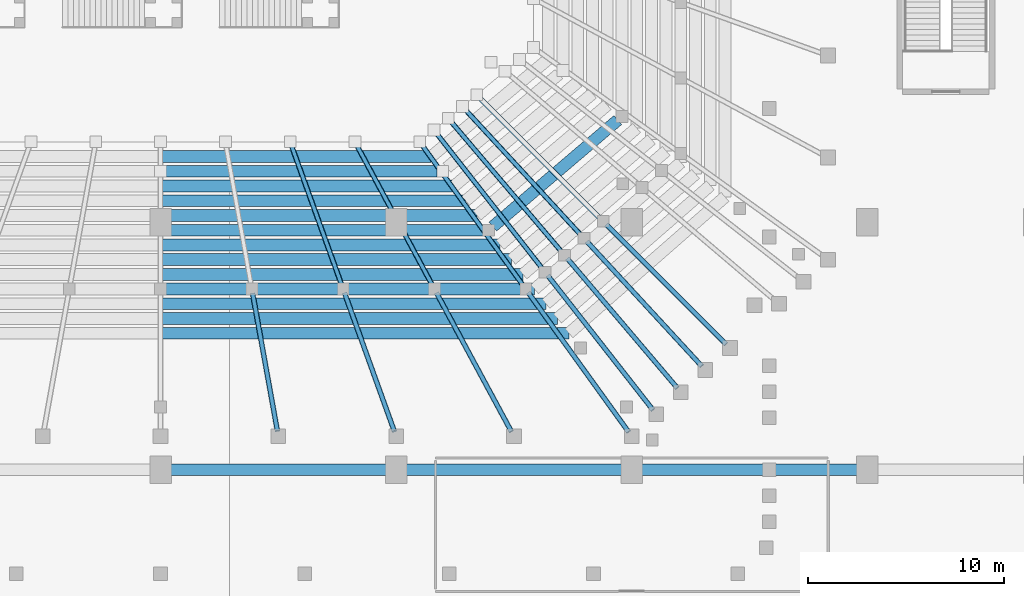
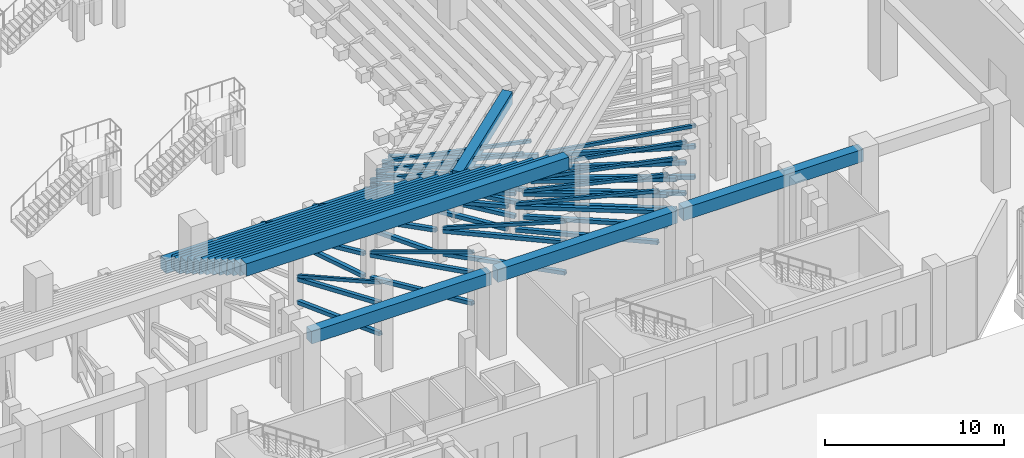
# One storey, part 36 of 143: 43 members, 17 beams.
"""IFC4 building model written with IfcOpenShell, lengths in metres."""

from ifc_helpers import new_model, si_unit, derived_unit, direction, frame, origin, origin_2d, place, context, subcontext, project, spatial, rectangle, hollow_rectangle, extrude, material, material_profile, profile_set, type_object, element, save


model = new_model("IFC4")

# Units and contexts
model_context = context("Model", 3, precision=1e-05, world=origin(), true_north=direction((0.0, 1.0)))
body_context = subcontext(model_context, "Body", "Model", "MODEL_VIEW")
ifc_project = project(units=[si_unit("LENGTHUNIT", "METRE"), si_unit("AREAUNIT", "SQUARE_METRE"), si_unit("VOLUMEUNIT", "CUBIC_METRE"), si_unit("PLANEANGLEUNIT", "RADIAN"), si_unit("MASSUNIT", "GRAM", prefix="KILO"), derived_unit("THERMALTRANSMITTANCEUNIT", [(si_unit("MASSUNIT", "GRAM", prefix="KILO"), 1), (si_unit("TIMEUNIT", "SECOND"), -3), (si_unit("THERMODYNAMICTEMPERATUREUNIT", "KELVIN"), -1)])], contexts=[model_context])

# Site, building, storey
site_placement = place(None, origin())
site = spatial("IfcSite", under=ifc_project, at=site_placement, CompositionType="ELEMENT")
building_placement = place(site_placement, origin())
building = spatial("IfcBuilding", under=site, at=building_placement, Name="Valcora Ridge Arena", CompositionType="ELEMENT")
storey_placement = place(building_placement, origin())
storey = spatial("IfcBuildingStorey", under=building, at=storey_placement, Name="L00", CompositionType="ELEMENT", Elevation=0.0)

# Beams
ifc_material_1 = material(Name="Concrete C40/50", Category="concrete")
ifc_material_profile_1 = material_profile(ifc_material_1, rectangle(XDim=0.60009765625, YDim=0.85009765625, at=origin_2d()), Name="RC 600x850")
ifc_profile_set_1 = profile_set([ifc_material_profile_1], Name="Concrete C40/50")
beam_type_1 = type_object("IfcBeamType", Name="TY-BEAM-B-RC600-X", PredefinedType="BEAM", material=ifc_profile_set_1)
beam_1_placement = place(storey_placement, frame((58.0, 48.550048828125, 0.4150390625), z_axis=(1.0, 0.0, 0.0), x_axis=(0.0, 1.0, 0.0)))
element("IfcBeam", 1, at=beam_1_placement, inside=storey, type_object=beam_type_1, Name="B-RC600-X BEM-R2-B-RC600-X-0002", PredefinedType="BEAM", context=body_context, shape_type="SweptSolid", body=[
    extrude(rectangle(XDim=0.60009765625, YDim=0.85009765625, at=origin_2d()), origin(), (0.0, 0.0, 1.0), 13.784912109375),
])
beam_2_placement = place(storey_placement, frame((58.280029296875, 47.800048828125, 0.85498046875), z_axis=(1.0, 0.0, 0.0), x_axis=(0.0, 1.0, 0.0)))
element("IfcBeam", 2, at=beam_2_placement, inside=storey, type_object=beam_type_1, Name="B-RC600-X BEM-R2-B-RC600-X-0014", PredefinedType="BEAM", context=body_context, shape_type="SweptSolid", body=[
    extrude(rectangle(XDim=0.60009765625, YDim=0.85009765625, at=origin_2d()), origin(), (0.0, 0.0, 1.0), 13.81005859375),
])
beam_3_placement = place(storey_placement, frame((58.0, 47.050048828125, 1.294921875), z_axis=(1.0, 0.0, 0.0), x_axis=(0.0, 1.0, 0.0)))
element("IfcBeam", 3, at=beam_3_placement, inside=storey, type_object=beam_type_1, Name="B-RC600-X BEM-R2-B-RC600-X-0026", PredefinedType="BEAM", context=body_context, shape_type="SweptSolid", body=[
    extrude(rectangle(XDim=0.60009765625, YDim=0.85009765625, at=origin_2d()), origin(), (0.0, 0.0, 1.0), 14.955078125),
])
beam_4_placement = place(storey_placement, frame((58.0, 46.300048828125, 1.735107421875), z_axis=(1.0, 0.0, 0.0), x_axis=(0.0, 1.0, 0.0)))
element("IfcBeam", 4, at=beam_4_placement, inside=storey, type_object=beam_type_1, Name="B-RC600-X BEM-R2-B-RC600-X-0038", PredefinedType="BEAM", context=body_context, shape_type="SweptSolid", body=[
    extrude(rectangle(XDim=0.60009765625, YDim=0.85009765625, at=origin_2d()), origin(), (0.0, 0.0, 1.0), 15.5400390625),
])
beam_5_placement = place(storey_placement, frame((58.0, 45.550048828125, 2.175048828125), z_axis=(1.0, 0.0, 0.0), x_axis=(0.0, 1.0, 0.0)))
element("IfcBeam", 5, at=beam_5_placement, inside=storey, type_object=beam_type_1, Name="B-RC600-X BEM-R2-B-RC600-X-0050", PredefinedType="BEAM", context=body_context, shape_type="SweptSolid", body=[
    extrude(rectangle(XDim=0.60009765625, YDim=0.85009765625, at=origin_2d()), origin(), (0.0, 0.0, 1.0), 16.125),
])
beam_6_placement = place(storey_placement, frame((58.0, 44.800048828125, 2.614990234375), z_axis=(1.0, 0.0, 0.0), x_axis=(0.0, 1.0, 0.0)))
element("IfcBeam", 6, at=beam_6_placement, inside=storey, type_object=beam_type_1, Name="B-RC600-X BEM-R2-B-RC600-X-0062", PredefinedType="BEAM", context=body_context, shape_type="SweptSolid", body=[
    extrude(rectangle(XDim=0.60009765625, YDim=0.85009765625, at=origin_2d()), origin(), (0.0, 0.0, 1.0), 16.429931640625),
])
beam_7_placement = place(storey_placement, frame((74.923095703125, 44.981689453125, 2.614990234375), z_axis=(0.76091703384, 0.648849187109, 0.0), x_axis=(-0.648849187109, 0.76091703384, 0.0)))
element("IfcBeam", 7, at=beam_7_placement, inside=storey, type_object=beam_type_1, Name="B-RC600-X BEM-R2-B-RC600-X-0063", PredefinedType="BEAM", context=body_context, shape_type="SweptSolid", body=[
    extrude(rectangle(XDim=0.60009765625, YDim=0.85009765625, at=origin_2d()), origin(), (0.0, 0.0, 1.0), 8.36328125),
])
beam_8_placement = place(storey_placement, frame((58.0, 44.050048828125, 3.054931640625), z_axis=(1.0, 0.0, 0.0), x_axis=(0.0, 1.0, 0.0)))
element("IfcBeam", 8, at=beam_8_placement, inside=storey, type_object=beam_type_1, Name="B-RC600-X BEM-R2-B-RC600-X-0074", PredefinedType="BEAM", context=body_context, shape_type="SweptSolid", body=[
    extrude(rectangle(XDim=0.60009765625, YDim=0.85009765625, at=origin_2d()), origin(), (0.0, 0.0, 1.0), 17.294921875),
])
beam_9_placement = place(storey_placement, frame((58.0, 43.300048828125, 3.4951171875), z_axis=(1.0, 0.0, 0.0), x_axis=(0.0, 1.0, 0.0)))
element("IfcBeam", 9, at=beam_9_placement, inside=storey, type_object=beam_type_1, Name="B-RC600-X BEM-R2-B-RC600-X-0086", PredefinedType="BEAM", context=body_context, shape_type="SweptSolid", body=[
    extrude(rectangle(XDim=0.60009765625, YDim=0.85009765625, at=origin_2d()), origin(), (0.0, 0.0, 1.0), 17.8798828125),
])
beam_10_placement = place(storey_placement, frame((58.0, 42.550048828125, 3.93505859375), z_axis=(1.0, 0.0, 0.0), x_axis=(0.0, 1.0, 0.0)))
element("IfcBeam", 10, at=beam_10_placement, inside=storey, type_object=beam_type_1, Name="B-RC600-X BEM-R2-B-RC600-X-0098", PredefinedType="BEAM", context=body_context, shape_type="SweptSolid", body=[
    extrude(rectangle(XDim=0.60009765625, YDim=0.85009765625, at=origin_2d()), origin(), (0.0, 0.0, 1.0), 18.465087890625),
])
beam_11_placement = place(storey_placement, frame((58.0, 41.800048828125, 4.375), z_axis=(1.0, 0.0, 0.0), x_axis=(0.0, 1.0, 0.0)))
element("IfcBeam", 11, at=beam_11_placement, inside=storey, type_object=beam_type_1, Name="B-RC600-X BEM-R2-B-RC600-X-0110", PredefinedType="BEAM", context=body_context, shape_type="SweptSolid", body=[
    extrude(rectangle(XDim=0.60009765625, YDim=0.85009765625, at=origin_2d()), origin(), (0.0, 0.0, 1.0), 19.050048828125),
])
beam_12_placement = place(storey_placement, frame((58.0, 41.050048828125, 4.81494140625), z_axis=(1.0, 0.0, 0.0), x_axis=(0.0, 1.0, 0.0)))
element("IfcBeam", 12, at=beam_12_placement, inside=storey, type_object=beam_type_1, Name="B-RC600-X BEM-R2-B-RC600-X-0122", PredefinedType="BEAM", context=body_context, shape_type="SweptSolid", body=[
    extrude(rectangle(XDim=0.60009765625, YDim=0.85009765625, at=origin_2d()), origin(), (0.0, 0.0, 1.0), 19.635009765625),
])
beam_13_placement = place(storey_placement, frame((58.0, 40.300048828125, 5.2548828125), z_axis=(1.0, 0.0, 0.0), x_axis=(0.0, 1.0, 0.0)))
element("IfcBeam", 13, at=beam_13_placement, inside=storey, type_object=beam_type_1, Name="B-RC600-X BEM-R2-B-RC600-X-0134", PredefinedType="BEAM", context=body_context, shape_type="SweptSolid", body=[
    extrude(rectangle(XDim=0.60009765625, YDim=0.85009765625, at=origin_2d()), origin(), (0.0, 0.0, 1.0), 20.219970703125),
])
beam_14_placement = place(storey_placement, frame((58.0, 39.550048828125, 5.695068359375), z_axis=(1.0, 0.0, 0.0), x_axis=(0.0, 1.0, 0.0)))
element("IfcBeam", 14, at=beam_14_placement, inside=storey, type_object=beam_type_1, Name="B-RC600-X BEM-R2-B-RC600-X-0146", PredefinedType="BEAM", context=body_context, shape_type="SweptSolid", body=[
    extrude(rectangle(XDim=0.60009765625, YDim=0.85009765625, at=origin_2d()), origin(), (0.0, 0.0, 1.0), 20.804931640625),
])
ifc_material_profile_2 = material_profile(ifc_material_1, rectangle(XDim=0.60009765625, YDim=0.85009765625, at=origin_2d()), Name="RC 600x850")
ifc_profile_set_2 = profile_set([ifc_material_profile_2], Name="Concrete C40/50")
beam_type_2 = type_object("IfcBeamType", Name="TY-BEAM-EB-RC600", PredefinedType="BEAM", material=ifc_profile_set_2)
for number, where, z_axis, x_axis, name in (
    (15, (58.199951171875, 32.60009765625, 5.215087890625), (1.0, 0.0, 0.0), (0.0, 1.0, 0.0), "EB-RC600 BEM-EB-RC600-0005"),
    (16, (70.199951171875, 32.60009765625, 5.215087890625), (1.0, 0.0, 0.0), (0.0, 1.0, 0.0), "EB-RC600 BEM-EB-RC600-0006"),
    (17, (82.199951171875, 32.60009765625, 5.215087890625), (1.0, 0.0, 0.0), (0.0, 1.0, 0.0), "EB-RC600 BEM-EB-RC600-0007"),
):
    element("IfcBeam", number, at=place(storey_placement, frame(where, z_axis=z_axis, x_axis=x_axis)), inside=storey, type_object=beam_type_2, Name=name, PredefinedType="BEAM", context=body_context, shape_type="SweptSolid", body=[
        extrude(rectangle(XDim=0.60009765625, YDim=0.85009765625, at=origin_2d()), origin(), (0.0, 0.0, 1.0), 11.60009765625),
    ])

# Members
ifc_material_2 = material(Name="Steel ASTM A500 Grade C", Category="steel")
ifc_material_profile_3 = material_profile(ifc_material_2, hollow_rectangle(XDim=0.25, YDim=0.25, WallThickness=0.012451171875, at=origin_2d()), Name="HSS250X250X12")
ifc_profile_set_3 = profile_set([ifc_material_profile_3], Name="Steel ASTM A500 Grade C")
member_type_1 = type_object("IfcMemberType", Name="TY-MEMBER-RKRC-251", PredefinedType="CHORD", material=ifc_profile_set_3)
member_1_placement = place(storey_placement, frame((64.679443359375, 49.079345703125, 0.301513671875), z_axis=(0.330850255217, -0.919000233363, 0.214421733278), x_axis=(0.940884093102, 0.338728686926, 0.0)))
element("IfcMember", 18, at=member_1_placement, inside=storey, type_object=member_type_1, Name="RKRC-251 MBR-RK-RKRC-251-0007", PredefinedType="CHORD", context=body_context, shape_type="SweptSolid", body=[
    extrude(hollow_rectangle(XDim=0.25, YDim=0.25, WallThickness=0.012451171875, at=origin_2d()), origin(), (0.0, 0.0, 1.0), 7.680908203125),
])
member_2_placement = place(storey_placement, frame((68.01171875, 49.093017578125, 0.29833984375), z_axis=(0.465453402644, -0.861923249442, 0.201100576924), x_axis=(0.879899060394, 0.47516065022, 0.0)))
element("IfcMember", 19, at=member_2_placement, inside=storey, type_object=member_type_1, Name="RKRC-251 MBR-RK-RKRC-251-0008", PredefinedType="CHORD", context=body_context, shape_type="SweptSolid", body=[
    extrude(hollow_rectangle(XDim=0.25, YDim=0.25, WallThickness=0.012451171875, at=origin_2d()), origin(), (0.0, 0.0, 1.0), 8.221435546875),
])
member_3_placement = place(storey_placement, frame((71.337890625, 49.108642578125, 0.294677734375), z_axis=(0.574095048612, -0.797370949409, 0.18604957457), x_axis=(0.811540149599, 0.584296658889, 0.0)))
element("IfcMember", 20, at=member_3_placement, inside=storey, type_object=member_type_1, Name="RKRC-251 MBR-RK-RKRC-251-0009", PredefinedType="CHORD", context=body_context, shape_type="SweptSolid", body=[
    extrude(hollow_rectangle(XDim=0.25, YDim=0.25, WallThickness=0.012451171875, at=origin_2d()), origin(), (0.0, 0.0, 1.0), 8.92578125),
])
member_4_placement = place(storey_placement, frame((72.0703125, 49.71435546875, 0.294921875), z_axis=(0.605307455921, -0.77369753626, 0.18706952235), x_axis=(0.787601316701, 0.616185171788, 0.0)))
element("IfcMember", 21, at=member_4_placement, inside=storey, type_object=member_type_1, Name="RKRC-251 MBR-RK-RKRC-251-0010", PredefinedType="CHORD", context=body_context, shape_type="SweptSolid", body=[
    extrude(hollow_rectangle(XDim=0.25, YDim=0.25, WallThickness=0.012451171875, at=origin_2d()), origin(), (0.0, 0.0, 1.0), 8.87451171875),
])
member_5_placement = place(storey_placement, frame((72.802490234375, 50.3203125, 0.295166015625), z_axis=(0.635896408049, -0.7485781687, 0.187793726136), x_axis=(0.762137750657, 0.647414897128, 0.0)))
element("IfcMember", 22, at=member_5_placement, inside=storey, type_object=member_type_1, Name="RKRC-251 MBR-RK-RKRC-251-0011", PredefinedType="CHORD", context=body_context, shape_type="SweptSolid", body=[
    extrude(hollow_rectangle(XDim=0.25, YDim=0.25, WallThickness=0.012451171875, at=origin_2d()), origin(), (0.0, 0.0, 1.0), 8.837646484375),
])
member_6_placement = place(storey_placement, frame((73.534912109375, 50.9267578125, 0.295166015625), z_axis=(0.665623478086, -0.722149130028, 0.18827113273), x_axis=(0.735298404428, 0.677743503433, 0.0)))
element("IfcMember", 23, at=member_6_placement, inside=storey, type_object=member_type_1, Name="RKRC-251 MBR-RK-RKRC-251-0012", PredefinedType="CHORD", context=body_context, shape_type="SweptSolid", body=[
    extrude(hollow_rectangle(XDim=0.25, YDim=0.25, WallThickness=0.012451171875, at=origin_2d()), origin(), (0.0, 0.0, 1.0), 8.8154296875),
])
member_7_placement = place(storey_placement, frame((74.2666015625, 51.533203125, 0.295166015625), z_axis=(0.694454111564, -0.694426393271, 0.188428955473), x_axis=(0.70709266911, 0.707120892982, 0.0)))
element("IfcMember", 24, at=member_7_placement, inside=storey, type_object=member_type_1, Name="RKRC-251 MBR-RK-RKRC-251-0013", PredefinedType="CHORD", context=body_context, shape_type="SweptSolid", body=[
    extrude(hollow_rectangle(XDim=0.25, YDim=0.25, WallThickness=0.012451171875, at=origin_2d()), origin(), (0.0, 0.0, 1.0), 8.807861328125),
])
ifc_material_profile_4 = material_profile(ifc_material_2, hollow_rectangle(XDim=0.25, YDim=0.25, WallThickness=0.012451171875, at=origin_2d()), Name="HSS250X250X12")
ifc_profile_set_4 = profile_set([ifc_material_profile_4], Name="Steel ASTM A500 Grade C")
member_type_2 = type_object("IfcMemberType", Name="TY-MEMBER-RKRC-252", PredefinedType="CHORD", material=ifc_profile_set_4)
member_8_placement = place(storey_placement, frame((62.690673828125, 41.573974609375, 2.0693359375), z_axis=(0.169581220746, -0.94221268818, 0.288924661121), x_axis=(0.984186431325, 0.177135734384, 0.0)))
element("IfcMember", 25, at=member_8_placement, inside=storey, type_object=member_type_2, Name="RKRC-252 MBR-RK-RKRC-252-0006", PredefinedType="CHORD", context=body_context, shape_type="SweptSolid", body=[
    extrude(hollow_rectangle(XDim=0.25, YDim=0.25, WallThickness=0.012451171875, at=origin_2d()), origin(), (0.0, 0.0, 1.0), 7.440185546875),
])
member_9_placement = place(storey_placement, frame((67.378173828125, 41.5830078125, 2.06640625), z_axis=(0.325435833964, -0.904005869091, 0.277245210277), x_axis=(0.940889494564, 0.338713682953, 0.0)))
element("IfcMember", 26, at=member_9_placement, inside=storey, type_object=member_type_2, Name="RKRC-252 MBR-RK-RKRC-252-0007", PredefinedType="CHORD", context=body_context, shape_type="SweptSolid", body=[
    extrude(hollow_rectangle(XDim=0.25, YDim=0.25, WallThickness=0.012451171875, at=origin_2d()), origin(), (0.0, 0.0, 1.0), 7.776611328125),
])
member_10_placement = place(storey_placement, frame((72.06005859375, 41.59619140625, 2.0625), z_axis=(0.458742849833, -0.8495205311, 0.260518454178), x_axis=(0.87990463419, 0.475150328559, 0.0)))
element("IfcMember", 27, at=member_10_placement, inside=storey, type_object=member_type_2, Name="RKRC-252 MBR-RK-RKRC-252-0008", PredefinedType="CHORD", context=body_context, shape_type="SweptSolid", body=[
    extrude(hollow_rectangle(XDim=0.25, YDim=0.25, WallThickness=0.012451171875, at=origin_2d()), origin(), (0.0, 0.0, 1.0), 8.30859375),
])
member_11_placement = place(storey_placement, frame((76.736083984375, 41.611083984375, 2.05810546875), z_axis=(0.567011880625, -0.787514994452, 0.241490498247), x_axis=(0.811533811457, 0.584305461948, 0.0)))
element("IfcMember", 28, at=member_11_placement, inside=storey, type_object=member_type_2, Name="RKRC-252 MBR-RK-RKRC-252-0009", PredefinedType="CHORD", context=body_context, shape_type="SweptSolid", body=[
    extrude(hollow_rectangle(XDim=0.25, YDim=0.25, WallThickness=0.012451171875, at=origin_2d()), origin(), (0.0, 0.0, 1.0), 9.003662109375),
])
member_12_placement = place(storey_placement, frame((77.73095703125, 42.47900390625, 2.058349609375), z_axis=(0.597760906174, -0.76402679326, 0.242785827904), x_axis=(0.787591600786, 0.616197590364, 0.0)))
element("IfcMember", 29, at=member_12_placement, inside=storey, type_object=member_type_2, Name="RKRC-252 MBR-RK-RKRC-252-0010", PredefinedType="CHORD", context=body_context, shape_type="SweptSolid", body=[
    extrude(hollow_rectangle(XDim=0.25, YDim=0.25, WallThickness=0.012451171875, at=origin_2d()), origin(), (0.0, 0.0, 1.0), 8.95263671875),
])
member_13_placement = place(storey_placement, frame((78.7255859375, 43.34765625, 2.05859375), z_axis=(0.627900701205, -0.739149634966, 0.243718129314), x_axis=(0.762130846094, 0.647423025102, 0.0)))
element("IfcMember", 30, at=member_13_placement, inside=storey, type_object=member_type_2, Name="RKRC-252 MBR-RK-RKRC-252-0011", PredefinedType="CHORD", context=body_context, shape_type="SweptSolid", body=[
    extrude(hollow_rectangle(XDim=0.25, YDim=0.25, WallThickness=0.012451171875, at=origin_2d()), origin(), (0.0, 0.0, 1.0), 8.91650390625),
])
member_14_placement = place(storey_placement, frame((79.72021484375, 44.21630859375, 2.05859375), z_axis=(0.657223207673, -0.712998247682, 0.244317731853), x_axis=(0.735280759397, 0.677762646404, 0.0)))
element("IfcMember", 31, at=member_14_placement, inside=storey, type_object=member_type_2, Name="RKRC-252 MBR-RK-RKRC-252-0012", PredefinedType="CHORD", context=body_context, shape_type="SweptSolid", body=[
    extrude(hollow_rectangle(XDim=0.25, YDim=0.25, WallThickness=0.012451171875, at=origin_2d()), origin(), (0.0, 0.0, 1.0), 8.89453125),
])
member_15_placement = place(storey_placement, frame((80.714599609375, 45.08544921875, 2.05859375), z_axis=(0.685647133056, -0.685647133056, 0.244491345174), x_axis=(0.707106781187, 0.707106781187, 0.0)))
element("IfcMember", 32, at=member_15_placement, inside=storey, type_object=member_type_2, Name="RKRC-252 MBR-RK-RKRC-252-0013", PredefinedType="CHORD", context=body_context, shape_type="SweptSolid", body=[
    extrude(hollow_rectangle(XDim=0.25, YDim=0.25, WallThickness=0.012451171875, at=origin_2d()), origin(), (0.0, 0.0, 1.0), 8.88720703125),
])
ifc_material_profile_5 = material_profile(ifc_material_2, hollow_rectangle(XDim=0.25, YDim=0.25, WallThickness=0.012451171875, at=origin_2d()), Name="HSS250X250X12")
ifc_profile_set_5 = profile_set([ifc_material_profile_5], Name="Steel ASTM A500 Grade C")
member_type_3 = type_object("IfcMemberType", Name="TY-MEMBER-RKRC-254", PredefinedType="CHORD", material=ifc_profile_set_5)
member_16_placement = place(storey_placement, frame((64.681396484375, 49.07421875, 0.39990234375), z_axis=(0.338713697983, -0.940889489153, 0.0), x_axis=(0.940889489153, 0.338713697983, 0.0)))
element("IfcMember", 33, at=member_16_placement, inside=storey, type_object=member_type_3, Name="RKRC-254 MBR-RK-RKRC-254-0007", PredefinedType="CHORD", context=body_context, shape_type="SweptSolid", body=[
    extrude(hollow_rectangle(XDim=0.25, YDim=0.25, WallThickness=0.012451171875, at=origin_2d()), origin(), (0.0, 0.0, 1.0), 7.4912109375),
])
member_17_placement = place(storey_placement, frame((68.013916015625, 49.0888671875, 0.39990234375), z_axis=(0.475158314478, -0.879900321731, 0.0), x_axis=(0.879900321731, 0.475158314478, 0.0)))
element("IfcMember", 34, at=member_17_placement, inside=storey, type_object=member_type_3, Name="RKRC-254 MBR-RK-RKRC-254-0008", PredefinedType="CHORD", context=body_context, shape_type="SweptSolid", body=[
    extrude(hollow_rectangle(XDim=0.25, YDim=0.25, WallThickness=0.012451171875, at=origin_2d()), origin(), (0.0, 0.0, 1.0), 8.043701171875),
])
member_18_placement = place(storey_placement, frame((71.340087890625, 49.105224609375, 0.39990234375), z_axis=(0.584317938635, -0.811524828079, 0.0), x_axis=(0.811524828079, 0.584317938635, 0.0)))
element("IfcMember", 35, at=member_18_placement, inside=storey, type_object=member_type_3, Name="RKRC-254 MBR-RK-RKRC-254-0009", PredefinedType="CHORD", context=body_context, shape_type="SweptSolid", body=[
    extrude(hollow_rectangle(XDim=0.25, YDim=0.25, WallThickness=0.012451171875, at=origin_2d()), origin(), (0.0, 0.0, 1.0), 8.76171875),
])
member_19_placement = place(storey_placement, frame((72.072998046875, 49.7109375, 0.39990234375), z_axis=(0.616200925647, -0.78758899131, 0.0), x_axis=(0.78758899131, 0.616200925647, 0.0)))
element("IfcMember", 36, at=member_19_placement, inside=storey, type_object=member_type_3, Name="RKRC-254 MBR-RK-RKRC-254-0010", PredefinedType="CHORD", context=body_context, shape_type="SweptSolid", body=[
    extrude(hollow_rectangle(XDim=0.25, YDim=0.25, WallThickness=0.012451171875, at=origin_2d()), origin(), (0.0, 0.0, 1.0), 8.709228515625),
])
member_20_placement = place(storey_placement, frame((72.805419921875, 50.317138671875, 0.39990234375), z_axis=(0.647413846477, -0.762138643155, 0.0), x_axis=(0.762138643155, 0.647413846477, 0.0)))
element("IfcMember", 37, at=member_20_placement, inside=storey, type_object=member_type_3, Name="RKRC-254 MBR-RK-RKRC-254-0011", PredefinedType="CHORD", context=body_context, shape_type="SweptSolid", body=[
    extrude(hollow_rectangle(XDim=0.25, YDim=0.25, WallThickness=0.012451171875, at=origin_2d()), origin(), (0.0, 0.0, 1.0), 8.671875),
])
member_21_placement = place(storey_placement, frame((73.53759765625, 50.923583984375, 0.39990234375), z_axis=(0.677773488794, -0.735270765017, 0.0), x_axis=(0.735270765017, 0.677773488794, 0.0)))
element("IfcMember", 38, at=member_21_placement, inside=storey, type_object=member_type_3, Name="RKRC-254 MBR-RK-RKRC-254-0012", PredefinedType="CHORD", context=body_context, shape_type="SweptSolid", body=[
    extrude(hollow_rectangle(XDim=0.25, YDim=0.25, WallThickness=0.012451171875, at=origin_2d()), origin(), (0.0, 0.0, 1.0), 8.6494140625),
])
ifc_material_profile_6 = material_profile(ifc_material_2, hollow_rectangle(XDim=0.25, YDim=0.25, WallThickness=0.012451171875, at=origin_2d()), Name="HSS250X250X12")
ifc_profile_set_6 = profile_set([ifc_material_profile_6], Name="Steel ASTM A500 Grade C")
member_type_4 = type_object("IfcMemberType", Name="TY-MEMBER-RKRC-255", PredefinedType="CHORD", material=ifc_profile_set_6)
member_22_placement = place(storey_placement, frame((62.69140625, 41.56982421875, 0.503662109375), z_axis=(0.172663767621, -0.959217137557, 0.223807297395), x_axis=(0.984182486251, 0.177157652266, 0.0)))
element("IfcMember", 39, at=member_22_placement, inside=storey, type_object=member_type_4, Name="RKRC-255 MBR-RK-RKRC-255-0006", PredefinedType="CHORD", context=body_context, shape_type="SweptSolid", body=[
    extrude(hollow_rectangle(XDim=0.25, YDim=0.25, WallThickness=0.012451171875, at=origin_2d()), origin(), (0.0, 0.0, 1.0), 7.298828125),
])
member_23_placement = place(storey_placement, frame((67.37939453125, 41.579345703125, 0.50146484375), z_axis=(0.330860021706, -0.91899526261, 0.214427967713), x_axis=(0.940880322384, 0.338739160639, 0.0)))
element("IfcMember", 40, at=member_23_placement, inside=storey, type_object=member_type_4, Name="RKRC-255 MBR-RK-RKRC-255-0007", PredefinedType="CHORD", context=body_context, shape_type="SweptSolid", body=[
    extrude(hollow_rectangle(XDim=0.25, YDim=0.25, WallThickness=0.012451171875, at=origin_2d()), origin(), (0.0, 0.0, 1.0), 7.640869140625),
])
member_24_placement = place(storey_placement, frame((72.061767578125, 41.593017578125, 0.498291015625), z_axis=(0.465430848581, -0.861928872886, 0.201128673427), x_axis=(0.87990998272, 0.475140423781, 0.0)))
element("IfcMember", 41, at=member_24_placement, inside=storey, type_object=member_type_4, Name="RKRC-255 MBR-RK-RKRC-255-0008", PredefinedType="CHORD", context=body_context, shape_type="SweptSolid", body=[
    extrude(hollow_rectangle(XDim=0.25, YDim=0.25, WallThickness=0.012451171875, at=origin_2d()), origin(), (0.0, 0.0, 1.0), 8.181396484375),
])
member_25_placement = place(storey_placement, frame((76.73779296875, 41.608642578125, 0.49462890625), z_axis=(0.574105087517, -0.797362071684, 0.18605664494), x_axis=(0.811532219938, 0.58430767238, 0.0)))
element("IfcMember", 42, at=member_25_placement, inside=storey, type_object=member_type_4, Name="RKRC-255 MBR-RK-RKRC-255-0009", PredefinedType="CHORD", context=body_context, shape_type="SweptSolid", body=[
    extrude(hollow_rectangle(XDim=0.25, YDim=0.25, WallThickness=0.012451171875, at=origin_2d()), origin(), (0.0, 0.0, 1.0), 8.88623046875),
])
member_26_placement = place(storey_placement, frame((77.73291015625, 42.476806640625, 0.494873046875), z_axis=(0.605311535038, -0.773690058732, 0.187087248549), x_axis=(0.787596411335, 0.616191441722, 0.0)))
element("IfcMember", 43, at=member_26_placement, inside=storey, type_object=member_type_4, Name="RKRC-255 MBR-RK-RKRC-255-0010", PredefinedType="CHORD", context=body_context, shape_type="SweptSolid", body=[
    extrude(hollow_rectangle(XDim=0.25, YDim=0.25, WallThickness=0.012451171875, at=origin_2d()), origin(), (0.0, 0.0, 1.0), 8.83447265625),
])
member_27_placement = place(storey_placement, frame((78.7275390625, 43.34521484375, 0.4951171875), z_axis=(0.635901587114, -0.748568418608, 0.187815053091), x_axis=(0.762130988109, 0.647422857925, 0.0)))
element("IfcMember", 44, at=member_27_placement, inside=storey, type_object=member_type_4, Name="RKRC-255 MBR-RK-RKRC-255-0011", PredefinedType="CHORD", context=body_context, shape_type="SweptSolid", body=[
    extrude(hollow_rectangle(XDim=0.25, YDim=0.25, WallThickness=0.012451171875, at=origin_2d()), origin(), (0.0, 0.0, 1.0), 8.797607421875),
])
member_28_placement = place(storey_placement, frame((79.722412109375, 44.214111328125, 0.4951171875), z_axis=(0.665649507095, -0.722126498627, 0.188265912167), x_axis=(0.735274611708, 0.677769315754, 0.0)))
element("IfcMember", 45, at=member_28_placement, inside=storey, type_object=member_type_4, Name="RKRC-255 MBR-RK-RKRC-255-0012", PredefinedType="CHORD", context=body_context, shape_type="SweptSolid", body=[
    extrude(hollow_rectangle(XDim=0.25, YDim=0.25, WallThickness=0.012451171875, at=origin_2d()), origin(), (0.0, 0.0, 1.0), 8.775390625),
])
member_29_placement = place(storey_placement, frame((80.716796875, 45.083251953125, 0.4951171875), z_axis=(0.694440992123, -0.694440992123, 0.188423504158), x_axis=(0.707106781187, 0.707106781187, 0.0)))
element("IfcMember", 46, at=member_29_placement, inside=storey, type_object=member_type_4, Name="RKRC-255 MBR-RK-RKRC-255-0013", PredefinedType="CHORD", context=body_context, shape_type="SweptSolid", body=[
    extrude(hollow_rectangle(XDim=0.25, YDim=0.25, WallThickness=0.012451171875, at=origin_2d()), origin(), (0.0, 0.0, 1.0), 8.76806640625),
])
ifc_material_profile_7 = material_profile(ifc_material_2, hollow_rectangle(XDim=0.199951171875, YDim=0.199951171875, WallThickness=0.012451171875, at=origin_2d()), Name="HSS200X200X12")
ifc_profile_set_7 = profile_set([ifc_material_profile_7], Name="Steel ASTM A500 Grade C")
member_type_5 = type_object("IfcMemberType", Name="TY-MEMBER-RKRD-202", PredefinedType="BRACE", material=ifc_profile_set_7)
member_30_placement = place(storey_placement, frame((62.6884765625, 41.58642578125, 2.25244140625), z_axis=(0.160168227638, -0.889878371904, 0.427156437471), x_axis=(0.984185228926, 0.17714241492, 0.0)))
element("IfcMember", 47, at=member_30_placement, inside=storey, type_object=member_type_5, Name="RKRD-202 Raker Diagonal Brace", PredefinedType="BRACE", context=body_context, shape_type="SweptSolid", body=[
    extrude(hollow_rectangle(XDim=0.199951171875, YDim=0.199951171875, WallThickness=0.012451171875, at=origin_2d()), origin(), (0.0, 0.0, 1.0), 7.907958984375),
])
member_31_placement = place(storey_placement, frame((67.3740234375, 41.59423828125, 2.248779296875), z_axis=(0.308702201603, -0.857492925697, 0.411593043071), x_axis=(0.940885751403, 0.338724080643, 0.0)))
element("IfcMember", 48, at=member_31_placement, inside=storey, type_object=member_type_5, Name="RKRD-202 Raker Diagonal Brace", PredefinedType="BRACE", context=body_context, shape_type="SweptSolid", body=[
    extrude(hollow_rectangle(XDim=0.199951171875, YDim=0.199951171875, WallThickness=0.012451171875, at=origin_2d()), origin(), (0.0, 0.0, 1.0), 8.2265625),
])
member_32_placement = place(storey_placement, frame((72.05517578125, 41.60546875, 2.243408203125), z_axis=(0.437703278307, -0.810573016604, 0.389085112685), x_axis=(0.87990818911, 0.475143745342, 0.0)))
element("IfcMember", 49, at=member_32_placement, inside=storey, type_object=member_type_5, Name="RKRD-202 Raker Diagonal Brace", PredefinedType="BRACE", context=body_context, shape_type="SweptSolid", body=[
    extrude(hollow_rectangle(XDim=0.199951171875, YDim=0.199951171875, WallThickness=0.012451171875, at=origin_2d()), origin(), (0.0, 0.0, 1.0), 8.732666015625),
])
member_33_placement = place(storey_placement, frame((76.730712890625, 41.618408203125, 2.237060546875), z_axis=(0.544461556615, -0.756177844911, 0.362983030229), x_axis=(0.811527467141, 0.58431427338, 0.0)))
element("IfcMember", 50, at=member_33_placement, inside=storey, type_object=member_type_5, Name="RKRD-202 Raker Diagonal Brace", PredefinedType="BRACE", context=body_context, shape_type="SweptSolid", body=[
    extrude(hollow_rectangle(XDim=0.199951171875, YDim=0.199951171875, WallThickness=0.012451171875, at=origin_2d()), origin(), (0.0, 0.0, 1.0), 9.398193359375),
])
member_34_placement = place(storey_placement, frame((77.72509765625, 42.486572265625, 2.237548828125), z_axis=(0.573746660792, -0.733320930048, 0.364767299499), x_axis=(0.787586663126, 0.616203901371, 0.0)))
element("IfcMember", 51, at=member_34_placement, inside=storey, type_object=member_type_5, Name="RKRD-202 Raker Diagonal Brace", PredefinedType="BRACE", context=body_context, shape_type="SweptSolid", body=[
    extrude(hollow_rectangle(XDim=0.199951171875, YDim=0.199951171875, WallThickness=0.012451171875, at=origin_2d()), origin(), (0.0, 0.0, 1.0), 9.349609375),
])
member_35_placement = place(storey_placement, frame((78.719482421875, 43.354736328125, 2.23779296875), z_axis=(0.602480714626, -0.709237172934, 0.366059586725), x_axis=(0.762135952051, 0.647417014444, 0.0)))
element("IfcMember", 52, at=member_35_placement, inside=storey, type_object=member_type_5, Name="RKRD-202 Raker Diagonal Brace", PredefinedType="BRACE", context=body_context, shape_type="SweptSolid", body=[
    extrude(hollow_rectangle(XDim=0.199951171875, YDim=0.199951171875, WallThickness=0.012451171875, at=origin_2d()), origin(), (0.0, 0.0, 1.0), 9.314453125),
])
member_36_placement = place(storey_placement, frame((79.7138671875, 44.223388671875, 2.238037109375), z_axis=(0.630510517919, -0.684022868447, 0.366836751478), x_axis=(0.735282870083, 0.677760356589, 0.0)))
element("IfcMember", 53, at=member_36_placement, inside=storey, type_object=member_type_5, Name="RKRD-202 Raker Diagonal Brace", PredefinedType="BRACE", context=body_context, shape_type="SweptSolid", body=[
    extrude(hollow_rectangle(XDim=0.199951171875, YDim=0.199951171875, WallThickness=0.012451171875, at=origin_2d()), origin(), (0.0, 0.0, 1.0), 9.29345703125),
])
member_37_placement = place(storey_placement, frame((80.7080078125, 45.092041015625, 2.238037109375), z_axis=(0.657732417074, -0.657732417074, 0.367118693422), x_axis=(0.707106781187, 0.707106781187, 0.0)))
element("IfcMember", 54, at=member_37_placement, inside=storey, type_object=member_type_5, Name="RKRD-202 Raker Diagonal Brace", PredefinedType="BRACE", context=body_context, shape_type="SweptSolid", body=[
    extrude(hollow_rectangle(XDim=0.199951171875, YDim=0.199951171875, WallThickness=0.012451171875, at=origin_2d()), origin(), (0.0, 0.0, 1.0), 9.286376953125),
])
ifc_material_profile_8 = material_profile(ifc_material_2, hollow_rectangle(XDim=0.199951171875, YDim=0.199951171875, WallThickness=0.012451171875, at=origin_2d()), Name="HSS200X200X12")
ifc_profile_set_8 = profile_set([ifc_material_profile_8], Name="Steel ASTM A500 Grade C")
member_type_6 = type_object("IfcMemberType", Name="TY-MEMBER-RKRD-204", PredefinedType="BRACE", material=ifc_profile_set_8)
member_38_placement = place(storey_placement, frame((64.6748046875, 49.09228515625, 0.59423828125), z_axis=(0.311547948758, -0.865450734927, 0.3923428361), x_axis=(0.94089237188, 0.338705690146, 0.0)))
element("IfcMember", 55, at=member_38_placement, inside=storey, type_object=member_type_6, Name="RKRD-204 Raker Diagonal Brace", PredefinedType="BRACE", context=body_context, shape_type="SweptSolid", body=[
    extrude(hollow_rectangle(XDim=0.199951171875, YDim=0.199951171875, WallThickness=0.012451171875, at=origin_2d()), origin(), (0.0, 0.0, 1.0), 8.185791015625),
])
member_39_placement = place(storey_placement, frame((68.005859375, 49.10400390625, 0.5888671875), z_axis=(0.441322278952, -0.8172925914, 0.370496243089), x_axis=(0.879912473617, 0.475135810872, 0.0)))
element("IfcMember", 56, at=member_39_placement, inside=storey, type_object=member_type_6, Name="RKRD-204 Raker Diagonal Brace", PredefinedType="BRACE", context=body_context, shape_type="SweptSolid", body=[
    extrude(hollow_rectangle(XDim=0.199951171875, YDim=0.199951171875, WallThickness=0.012451171875, at=origin_2d()), origin(), (0.0, 0.0, 1.0), 8.69677734375),
])
member_40_placement = place(storey_placement, frame((71.33154296875, 49.1171875, 0.5830078125), z_axis=(0.548394390331, -0.761616884855, 0.34525832844), x_axis=(0.811519065757, 0.584325941503, 0.0)))
element("IfcMember", 57, at=member_40_placement, inside=storey, type_object=member_type_6, Name="RKRD-204 Raker Diagonal Brace", PredefinedType="BRACE", context=body_context, shape_type="SweptSolid", body=[
    extrude(hollow_rectangle(XDim=0.199951171875, YDim=0.199951171875, WallThickness=0.012451171875, at=origin_2d()), origin(), (0.0, 0.0, 1.0), 9.3671875),
])
member_41_placement = place(storey_placement, frame((72.063720703125, 49.72265625, 0.583251953125), z_axis=(0.577910837908, -0.73865268814, 0.347003270492), x_axis=(0.787590473734, 0.616199030901, 0.0)))
element("IfcMember", 58, at=member_41_placement, inside=storey, type_object=member_type_6, Name="RKRD-204 Raker Diagonal Brace", PredefinedType="BRACE", context=body_context, shape_type="SweptSolid", body=[
    extrude(hollow_rectangle(XDim=0.199951171875, YDim=0.199951171875, WallThickness=0.012451171875, at=origin_2d()), origin(), (0.0, 0.0, 1.0), 9.318115234375),
])
member_42_placement = place(storey_placement, frame((72.795654296875, 50.32861328125, 0.58349609375), z_axis=(0.606870599882, -0.71443726309, 0.348263509583), x_axis=(0.76215041241, 0.647399991399, 0.0)))
element("IfcMember", 59, at=member_42_placement, inside=storey, type_object=member_type_6, Name="RKRD-204 Raker Diagonal Brace", PredefinedType="BRACE", context=body_context, shape_type="SweptSolid", body=[
    extrude(hollow_rectangle(XDim=0.199951171875, YDim=0.199951171875, WallThickness=0.012451171875, at=origin_2d()), origin(), (0.0, 0.0, 1.0), 9.282958984375),
])
member_43_placement = place(storey_placement, frame((73.52734375, 50.9345703125, 0.583740234375), z_axis=(0.63517016771, -0.689023614449, 0.349006184449), x_axis=(0.735256215853, 0.677789271861, 0.0)))
element("IfcMember", 60, at=member_43_placement, inside=storey, type_object=member_type_6, Name="RKRD-204 Raker Diagonal Brace", PredefinedType="BRACE", context=body_context, shape_type="SweptSolid", body=[
    extrude(hollow_rectangle(XDim=0.199951171875, YDim=0.199951171875, WallThickness=0.012451171875, at=origin_2d()), origin(), (0.0, 0.0, 1.0), 9.26171875),
])

save(model, "model.ifc")
